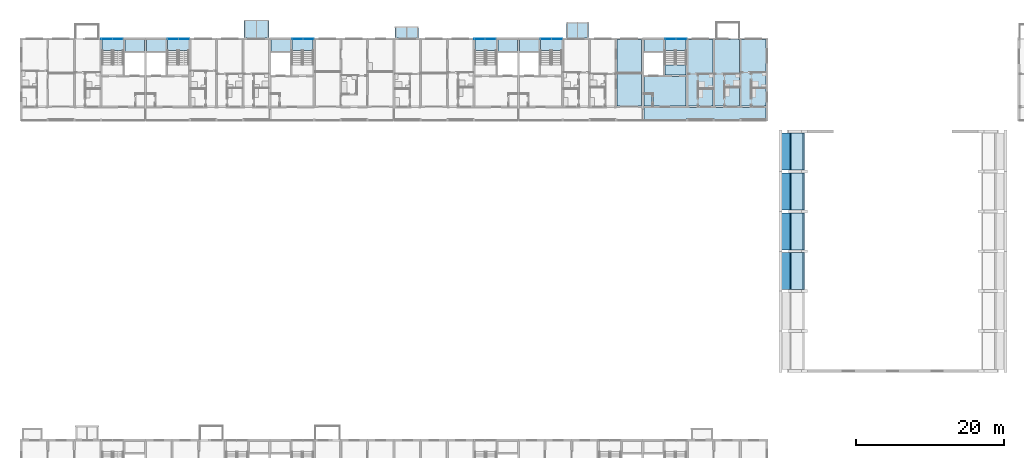
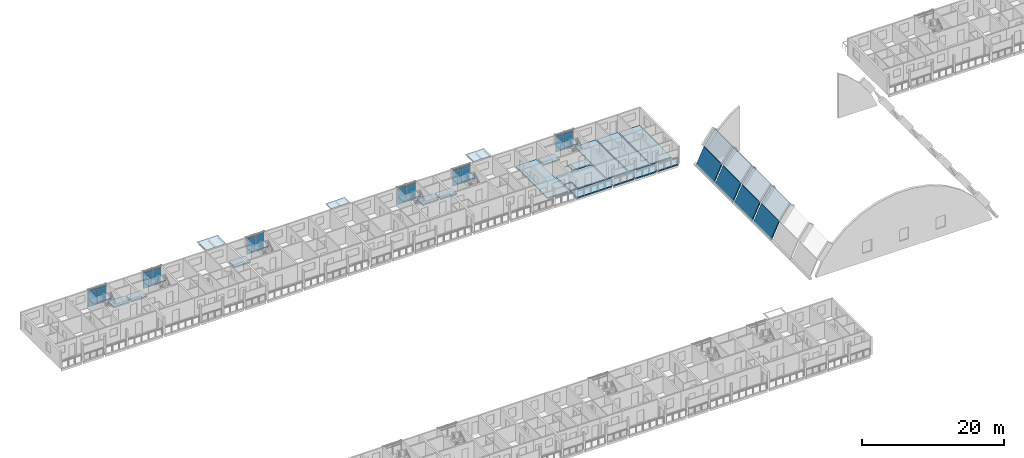
# One storey, part 26 of 100: 31 slabs, 24 plates, 12 elements without a shape of their own.
"""IFC4 building model written with IfcOpenShell, lengths in metres."""

from ifc_helpers import new_model, si_unit, direction, frame, origin, origin_2d, place, context, subcontext, project, spatial, polyline, rectangle, outline, extrude, material, layer, layer_set, type_object, element, aggregate, save


model = new_model("IFC4")

# Units and contexts
model_context = context("Model", 3, precision=1e-05, world=origin(), true_north=direction((0.0, 1.0)))
body_context = subcontext(model_context, "Body", "Model", "MODEL_VIEW")
ifc_project = project(units=[si_unit("LENGTHUNIT", "METRE"), si_unit("AREAUNIT", "SQUARE_METRE"), si_unit("VOLUMEUNIT", "CUBIC_METRE"), si_unit("PLANEANGLEUNIT", "RADIAN"), si_unit("MASSUNIT", "GRAM", prefix="KILO")], contexts=[model_context])

# Site, building, storey
site_placement = place(None, origin())
site = spatial("IfcSite", under=ifc_project, at=site_placement, CompositionType="ELEMENT")
building_placement = place(site_placement, origin())
building = spatial("IfcBuilding", under=site, at=building_placement, Name="Ridgestep Commons", CompositionType="ELEMENT")
storey_placement = place(building_placement, frame((0.0, 0.0, 9.0)))
storey = spatial("IfcBuildingStorey", under=building, at=storey_placement, Name="L03", CompositionType="ELEMENT", Elevation=9.0)

# Slab
ifc_material_1 = material(Name="Precast concrete C40/50", Category="concrete")
ifc_layer_1 = layer(ifc_material_1, 0.199951171875)
ifc_layer_set_1 = layer_set([ifc_layer_1], Name="Gallery slab 200")
slab_type_1 = type_object("IfcSlabType", Name="Gallery slab 200", PredefinedType="FLOOR", material=ifc_layer_set_1)
slab_1_placement = place(storey_placement, frame((0.0, 0.0, -0.199951171875)))
element("IfcSlab", 1, at=slab_1_placement, inside=storey, type_object=slab_type_1, Name="Gallery slab B6 L03", PredefinedType="FLOOR", context=body_context, shape_type="SweptSolid", body=[
    extrude(outline(polyline([(112.64990234375, 67.800048828125), (96.14990234375, 67.800048828125), (96.14990234375, 66.0), (101.875, 66.0), (101.875, 66.25), (102.125, 66.25), (102.125, 66.0), (105.47509765625, 66.0), (105.47509765625, 66.25), (105.72509765625, 66.25), (105.72509765625, 66.0), (109.074951171875, 66.0), (109.074951171875, 66.25), (109.324951171875, 66.25), (109.324951171875, 66.0), (112.64990234375, 66.0), (112.64990234375, 67.800048828125)])), origin(), (0.0, 0.0, 1.0), 0.199951171875),
])

# Curtain wall, plates
ifc_material_2 = material(Name="Aluminium 6063-T6 and glass", Category="aluminium")
curtain_wall_type = type_object("IfcCurtainWallType", Name="Curtain wall stair strip", PredefinedType="NOTDEFINED", material=ifc_material_2)
curtain_wall_1_placement = place(storey_placement, origin())
curtain_wall_1 = element("IfcCurtainWall", 2, at=curtain_wall_1_placement, inside=storey, type_object=curtain_wall_type, Name="Curtain wall B1C level 03", PredefinedType="NOTDEFINED")
ifc_material_3 = material(Name="Glass laminated 6/16/6 low-emissivity", Category="glass")
ifc_layer_2 = layer(ifc_material_3, 0.028076171875)
ifc_layer_set_2 = layer_set([ifc_layer_2], Name="Glazing panel 28")
plate_type_1 = type_object("IfcPlateType", Name="Glazing panel 28", PredefinedType="CURTAIN_PANEL", material=ifc_layer_set_2)
plate_1_placement = place(storey_placement, frame((23.5712890625, 77.080078125, 0.06005859375), z_axis=(0.0, 0.0, 1.0), x_axis=(1.0, 0.0, 0.0)))
plate_1 = element("IfcPlate", 3, at=plate_1_placement, type_object=plate_type_1, Name="CW1 panel 1.1", PredefinedType="CURTAIN_PANEL", context=body_context, shape_type="SweptSolid", body=[
    extrude(rectangle(XDim=1.422607421875, YDim=0.028076171875, at=origin_2d()), origin(), (0.0, 0.0, 1.0), 2.5),
])
plate_2_placement = place(storey_placement, frame((25.0537109375, 77.080078125, 0.06005859375), z_axis=(0.0, 0.0, 1.0), x_axis=(1.0, 0.0, 0.0)))
plate_2 = element("IfcPlate", 4, at=plate_2_placement, type_object=plate_type_1, Name="CW1 panel 2.1", PredefinedType="CURTAIN_PANEL", context=body_context, shape_type="SweptSolid", body=[
    extrude(rectangle(XDim=1.422607421875, YDim=0.028076171875, at=origin_2d()), origin(), (0.0, 0.0, 1.0), 2.5),
])

curtain_wall_2_placement = place(storey_placement, origin())
curtain_wall_2 = element("IfcCurtainWall", 5, at=curtain_wall_2_placement, inside=storey, type_object=curtain_wall_type, Name="Curtain wall B2C level 03", PredefinedType="NOTDEFINED")
plate_3_placement = place(storey_placement, frame((32.546142578125, 77.080078125, 0.06005859375), z_axis=(0.0, 0.0, 1.0), x_axis=(1.0, 0.0, 0.0)))
plate_3 = element("IfcPlate", 6, at=plate_3_placement, type_object=plate_type_1, Name="CW1 panel 1.1", PredefinedType="CURTAIN_PANEL", context=body_context, shape_type="SweptSolid", body=[
    extrude(rectangle(XDim=1.422607421875, YDim=0.028076171875, at=origin_2d()), origin(), (0.0, 0.0, 1.0), 2.5),
])
plate_4_placement = place(storey_placement, frame((34.02880859375, 77.080078125, 0.06005859375), z_axis=(0.0, 0.0, 1.0), x_axis=(1.0, 0.0, 0.0)))
plate_4 = element("IfcPlate", 7, at=plate_4_placement, type_object=plate_type_1, Name="CW1 panel 2.1", PredefinedType="CURTAIN_PANEL", context=body_context, shape_type="SweptSolid", body=[
    extrude(rectangle(XDim=1.422607421875, YDim=0.028076171875, at=origin_2d()), origin(), (0.0, 0.0, 1.0), 2.5),
])

curtain_wall_3_placement = place(storey_placement, origin())
curtain_wall_3 = element("IfcCurtainWall", 8, at=curtain_wall_3_placement, inside=storey, type_object=curtain_wall_type, Name="Curtain wall B3C level 03", PredefinedType="NOTDEFINED")
plate_5_placement = place(storey_placement, frame((49.34619140625, 77.080078125, 0.06005859375), z_axis=(0.0, 0.0, 1.0), x_axis=(1.0, 0.0, 0.0)))
plate_5 = element("IfcPlate", 9, at=plate_5_placement, type_object=plate_type_1, Name="CW1 panel 1.1", PredefinedType="CURTAIN_PANEL", context=body_context, shape_type="SweptSolid", body=[
    extrude(rectangle(XDim=1.422607421875, YDim=0.028076171875, at=origin_2d()), origin(), (0.0, 0.0, 1.0), 2.5),
])
plate_6_placement = place(storey_placement, frame((50.828857421875, 77.080078125, 0.06005859375), z_axis=(0.0, 0.0, 1.0), x_axis=(1.0, 0.0, 0.0)))
plate_6 = element("IfcPlate", 10, at=plate_6_placement, type_object=plate_type_1, Name="CW1 panel 2.1", PredefinedType="CURTAIN_PANEL", context=body_context, shape_type="SweptSolid", body=[
    extrude(rectangle(XDim=1.422607421875, YDim=0.028076171875, at=origin_2d()), origin(), (0.0, 0.0, 1.0), 2.5),
])

curtain_wall_4_placement = place(storey_placement, origin())
curtain_wall_4 = element("IfcCurtainWall", 11, at=curtain_wall_4_placement, inside=storey, type_object=curtain_wall_type, Name="Curtain wall B4C level 03", PredefinedType="NOTDEFINED")
plate_7_placement = place(storey_placement, frame((73.97119140625, 77.080078125, 0.06005859375), z_axis=(0.0, 0.0, 1.0), x_axis=(1.0, 0.0, 0.0)))
plate_7 = element("IfcPlate", 12, at=plate_7_placement, type_object=plate_type_1, Name="CW1 panel 1.1", PredefinedType="CURTAIN_PANEL", context=body_context, shape_type="SweptSolid", body=[
    extrude(rectangle(XDim=1.422607421875, YDim=0.028076171875, at=origin_2d()), origin(), (0.0, 0.0, 1.0), 2.5),
])
plate_8_placement = place(storey_placement, frame((75.453857421875, 77.080078125, 0.06005859375), z_axis=(0.0, 0.0, 1.0), x_axis=(1.0, 0.0, 0.0)))
plate_8 = element("IfcPlate", 13, at=plate_8_placement, type_object=plate_type_1, Name="CW1 panel 2.1", PredefinedType="CURTAIN_PANEL", context=body_context, shape_type="SweptSolid", body=[
    extrude(rectangle(XDim=1.422607421875, YDim=0.028076171875, at=origin_2d()), origin(), (0.0, 0.0, 1.0), 2.5),
])

curtain_wall_5_placement = place(storey_placement, origin())
curtain_wall_5 = element("IfcCurtainWall", 14, at=curtain_wall_5_placement, inside=storey, type_object=curtain_wall_type, Name="Curtain wall B5C level 03", PredefinedType="NOTDEFINED")
plate_9_placement = place(storey_placement, frame((82.9462890625, 77.080078125, 0.06005859375), z_axis=(0.0, 0.0, 1.0), x_axis=(1.0, 0.0, 0.0)))
plate_9 = element("IfcPlate", 15, at=plate_9_placement, type_object=plate_type_1, Name="CW1 panel 1.1", PredefinedType="CURTAIN_PANEL", context=body_context, shape_type="SweptSolid", body=[
    extrude(rectangle(XDim=1.422607421875, YDim=0.028076171875, at=origin_2d()), origin(), (0.0, 0.0, 1.0), 2.5),
])
plate_10_placement = place(storey_placement, frame((84.4287109375, 77.080078125, 0.06005859375), z_axis=(0.0, 0.0, 1.0), x_axis=(1.0, 0.0, 0.0)))
plate_10 = element("IfcPlate", 16, at=plate_10_placement, type_object=plate_type_1, Name="CW1 panel 2.1", PredefinedType="CURTAIN_PANEL", context=body_context, shape_type="SweptSolid", body=[
    extrude(rectangle(XDim=1.422607421875, YDim=0.028076171875, at=origin_2d()), origin(), (0.0, 0.0, 1.0), 2.5),
])

curtain_wall_6_placement = place(storey_placement, origin())
curtain_wall_6 = element("IfcCurtainWall", 17, at=curtain_wall_6_placement, inside=storey, type_object=curtain_wall_type, Name="Curtain wall B6C level 03", PredefinedType="NOTDEFINED")
plate_11_placement = place(storey_placement, frame((99.746337890625, 77.080078125, 0.06005859375), z_axis=(0.0, 0.0, 1.0), x_axis=(1.0, 0.0, 0.0)))
plate_11 = element("IfcPlate", 18, at=plate_11_placement, type_object=plate_type_1, Name="CW1 panel 1.1", PredefinedType="CURTAIN_PANEL", context=body_context, shape_type="SweptSolid", body=[
    extrude(rectangle(XDim=1.422607421875, YDim=0.028076171875, at=origin_2d()), origin(), (0.0, 0.0, 1.0), 2.5),
])
plate_12_placement = place(storey_placement, frame((101.228759765625, 77.080078125, 0.06005859375), z_axis=(0.0, 0.0, 1.0), x_axis=(1.0, 0.0, 0.0)))
plate_12 = element("IfcPlate", 19, at=plate_12_placement, type_object=plate_type_1, Name="CW1 panel 2.1", PredefinedType="CURTAIN_PANEL", context=body_context, shape_type="SweptSolid", body=[
    extrude(rectangle(XDim=1.422607421875, YDim=0.028076171875, at=origin_2d()), origin(), (0.0, 0.0, 1.0), 2.5),
])

# Slabs
ifc_material_4 = material(Name="Precast concrete C50/60", Category="concrete")
ifc_layer_3 = layer(ifc_material_4, 0.199951171875)
ifc_layer_set_3 = layer_set([ifc_layer_3], Name="Hall roof plank 200")
slab_type_2 = type_object("IfcSlabType", Name="Hall roof plank 200", PredefinedType="ROOF", material=ifc_layer_set_3)
slab_2_placement = place(storey_placement, frame((114.57421875, 43.199951171875, 0.107421875), z_axis=(-0.903137091467, 0.0, 0.429352295925), x_axis=(0.429352295925, 0.0, 0.903137091467)))
element("IfcSlab", 20, at=slab_2_placement, inside=storey, type_object=slab_type_2, Name="Hall barrel vault panel 25", PredefinedType="ROOF", context=body_context, shape_type="SweptSolid", body=[
    extrude(outline(polyline([(0.0, 0.0), (3.01655779628057, 0.0), (3.01655779628057, 5.0), (0.0, 5.0), (0.0, 0.0)])), origin(), (0.0, 0.0, -1.0), 0.199951171875),
])
slab_3_placement = place(storey_placement, frame((115.888916015625, 43.199951171875, 2.864013671875), z_axis=(-0.806402426746, 0.0, 0.591367166943), x_axis=(0.591367166943, 0.0, 0.806402426746)))
element("IfcSlab", 21, at=slab_3_placement, inside=storey, type_object=slab_type_2, Name="Hall barrel vault panel 26", PredefinedType="ROOF", context=body_context, shape_type="SweptSolid", body=[
    extrude(outline(polyline([(0.0, 0.0), (3.0211705918425382, 0.0), (3.0211705918425382, 5.0), (0.0, 5.0), (0.0, 0.0)])), origin(), (0.0, 0.0, -1.0), 0.199951171875),
])
slab_4_placement = place(storey_placement, frame((114.57421875, 48.60009765625, 0.107421875), z_axis=(-0.903137091467, 0.0, 0.429352295925), x_axis=(0.429352295925, 0.0, 0.903137091467)))
element("IfcSlab", 22, at=slab_4_placement, inside=storey, type_object=slab_type_2, Name="Hall barrel vault panel 37", PredefinedType="ROOF", context=body_context, shape_type="SweptSolid", body=[
    extrude(outline(polyline([(0.0, 0.0), (3.01655779628057, 0.0), (3.01655779628057, 5.0), (0.0, 5.0), (0.0, 0.0)])), origin(), (0.0, 0.0, -1.0), 0.199951171875),
])
slab_5_placement = place(storey_placement, frame((115.888916015625, 48.60009765625, 2.864013671875), z_axis=(-0.806402426746, 0.0, 0.591367166943), x_axis=(0.591367166943, 0.0, 0.806402426746)))
element("IfcSlab", 23, at=slab_5_placement, inside=storey, type_object=slab_type_2, Name="Hall barrel vault panel 38", PredefinedType="ROOF", context=body_context, shape_type="SweptSolid", body=[
    extrude(outline(polyline([(0.0, 0.0), (3.0211705918425382, 0.0), (3.0211705918425382, 5.0), (0.0, 5.0), (0.0, 0.0)])), origin(), (0.0, 0.0, -1.0), 0.199951171875),
])
slab_6_placement = place(storey_placement, frame((114.57421875, 54.0, 0.107421875), z_axis=(-0.903137091467, 0.0, 0.429352295925), x_axis=(0.429352295925, 0.0, 0.903137091467)))
element("IfcSlab", 24, at=slab_6_placement, inside=storey, type_object=slab_type_2, Name="Hall barrel vault panel 49", PredefinedType="ROOF", context=body_context, shape_type="SweptSolid", body=[
    extrude(outline(polyline([(0.0, 0.0), (3.01655779628057, 0.0), (3.01655779628057, 5.0), (0.0, 5.0), (0.0, 0.0)])), origin(), (0.0, 0.0, -1.0), 0.199951171875),
])
slab_7_placement = place(storey_placement, frame((115.888916015625, 54.0, 2.864013671875), z_axis=(-0.806402426746, 0.0, 0.591367166943), x_axis=(0.591367166943, 0.0, 0.806402426746)))
element("IfcSlab", 25, at=slab_7_placement, inside=storey, type_object=slab_type_2, Name="Hall barrel vault panel 50", PredefinedType="ROOF", context=body_context, shape_type="SweptSolid", body=[
    extrude(outline(polyline([(0.0, 0.0), (3.0211705918425382, 0.0), (3.0211705918425382, 5.0), (0.0, 5.0), (0.0, 0.0)])), origin(), (0.0, 0.0, -1.0), 0.199951171875),
])
slab_8_placement = place(storey_placement, frame((114.57421875, 59.39990234375, 0.107421875), z_axis=(-0.903137091467, 0.0, 0.429352295925), x_axis=(0.429352295925, 0.0, 0.903137091467)))
element("IfcSlab", 26, at=slab_8_placement, inside=storey, type_object=slab_type_2, Name="Hall barrel vault panel 61", PredefinedType="ROOF", context=body_context, shape_type="SweptSolid", body=[
    extrude(outline(polyline([(0.0, 0.0), (3.01655779628057, 0.0), (3.01655779628057, 5.0), (0.0, 5.0), (0.0, 0.0)])), origin(), (0.0, 0.0, -1.0), 0.199951171875),
])
slab_9_placement = place(storey_placement, frame((115.888916015625, 59.39990234375, 2.864013671875), z_axis=(-0.806402426746, 0.0, 0.591367166943), x_axis=(0.591367166943, 0.0, 0.806402426746)))
element("IfcSlab", 27, at=slab_9_placement, inside=storey, type_object=slab_type_2, Name="Hall barrel vault panel 62", PredefinedType="ROOF", context=body_context, shape_type="SweptSolid", body=[
    extrude(outline(polyline([(0.0, 0.0), (3.0211705918425382, 0.0), (3.0211705918425382, 5.0), (0.0, 5.0), (0.0, 0.0)])), origin(), (0.0, 0.0, -1.0), 0.199951171875),
])
ifc_material_5 = material(Name="Precast concrete C50/60", Category="concrete")
ifc_layer_4 = layer(ifc_material_5, 0.199951171875)
ifc_layer_set_4 = layer_set([ifc_layer_4], Name="Hollow-core plank 200")
slab_type_3 = type_object("IfcSlabType", Name="Hollow-core plank 200", PredefinedType="FLOOR", material=ifc_layer_set_4)
slab_10_placement = place(storey_placement, frame((0.0, 0.0, -0.199951171875)))
element("IfcSlab", 28, at=slab_10_placement, inside=storey, type_object=slab_type_3, Name="Floor plank B5T1 L03", PredefinedType="FLOOR", context=body_context, shape_type="SweptSolid", body=[
    extrude(outline(polyline([(95.85009765625, 68.0), (95.85009765625, 77.0), (92.5, 77.0), (92.5, 68.0), (95.85009765625, 68.0)])), origin(), (0.0, 0.0, 1.0), 0.199951171875),
])
slab_11_placement = place(storey_placement, frame((0.0, 0.0, -0.199951171875)))
element("IfcSlab", 29, at=slab_11_placement, inside=storey, type_object=slab_type_3, Name="Floor plank B6T3 L03", PredefinedType="FLOOR", context=body_context, shape_type="SweptSolid", body=[
    extrude(outline(polyline([(105.5, 68.0), (105.5, 77.0), (102.125, 77.0), (102.125, 68.0), (105.5, 68.0)])), origin(), (0.0, 0.0, 1.0), 0.199951171875),
])
slab_12_placement = place(storey_placement, frame((0.0, 0.0, -0.199951171875)))
element("IfcSlab", 30, at=slab_12_placement, inside=storey, type_object=slab_type_3, Name="Floor plank B6T2 L03", PredefinedType="FLOOR", context=body_context, shape_type="SweptSolid", body=[
    extrude(outline(polyline([(109.10009765625, 68.0), (109.10009765625, 77.0), (105.699951171875, 77.0), (105.699951171875, 68.0), (109.10009765625, 68.0)])), origin(), (0.0, 0.0, 1.0), 0.199951171875),
])
slab_13_placement = place(storey_placement, frame((0.0, 0.0, -0.199951171875)))
element("IfcSlab", 31, at=slab_13_placement, inside=storey, type_object=slab_type_3, Name="Floor plank B6T1 L03", PredefinedType="FLOOR", context=body_context, shape_type="SweptSolid", body=[
    extrude(outline(polyline([(112.64990234375, 68.0), (112.64990234375, 77.0), (109.300048828125, 77.0), (109.300048828125, 68.0), (112.64990234375, 68.0)])), origin(), (0.0, 0.0, 1.0), 0.199951171875),
])
ifc_material_6 = material(Name="Precast concrete C50/60", Category="concrete")
ifc_layer_5 = layer(ifc_material_6, 0.25)
ifc_layer_set_5 = layer_set([ifc_layer_5], Name="Hollow-core plank 250")
slab_type_4 = type_object("IfcSlabType", Name="Hollow-core plank 250", PredefinedType="FLOOR", material=ifc_layer_set_5)
slab_14_placement = place(storey_placement, frame((0.0, 0.0, -0.25)))
element("IfcSlab", 32, at=slab_14_placement, inside=storey, type_object=slab_type_4, Name="Floor plank B1C L03", PredefinedType="FLOOR", context=body_context, shape_type="SweptSolid", body=[
    extrude(outline(polyline([(28.64990234375, 75.39990234375), (28.64990234375, 77.0), (26.02490234375, 77.0), (26.02490234375, 75.39990234375), (28.64990234375, 75.39990234375)])), origin(), (0.0, 0.0, 1.0), 0.25),
])
slab_15_placement = place(storey_placement, frame((0.0, 0.0, -0.25)))
element("IfcSlab", 33, at=slab_15_placement, inside=storey, type_object=slab_type_4, Name="Floor plank B2C L03", PredefinedType="FLOOR", context=body_context, shape_type="SweptSolid", body=[
    extrude(outline(polyline([(31.574951171875, 77.0), (28.949951171875, 77.0), (28.949951171875, 75.39990234375), (31.574951171875, 75.39990234375), (31.574951171875, 77.0)])), origin(), (0.0, 0.0, 1.0), 0.25),
])
slab_16_placement = place(storey_placement, frame((0.0, 0.0, -0.25)))
element("IfcSlab", 34, at=slab_16_placement, inside=storey, type_object=slab_type_4, Name="Floor plank B3C L03", PredefinedType="FLOOR", context=body_context, shape_type="SweptSolid", body=[
    extrude(outline(polyline([(48.375, 77.0), (45.75, 77.0), (45.75, 75.39990234375), (48.375, 75.39990234375), (48.375, 77.0)])), origin(), (0.0, 0.0, 1.0), 0.25),
])
slab_17_placement = place(storey_placement, frame((0.0, 0.0, -0.25)))
element("IfcSlab", 35, at=slab_17_placement, inside=storey, type_object=slab_type_4, Name="Floor plank B4C L03", PredefinedType="FLOOR", context=body_context, shape_type="SweptSolid", body=[
    extrude(outline(polyline([(79.050048828125, 75.39990234375), (79.050048828125, 77.0), (76.425048828125, 77.0), (76.425048828125, 75.39990234375), (79.050048828125, 75.39990234375)])), origin(), (0.0, 0.0, 1.0), 0.25),
])
slab_18_placement = place(storey_placement, frame((0.0, 0.0, -0.25)))
element("IfcSlab", 36, at=slab_18_placement, inside=storey, type_object=slab_type_4, Name="Floor plank B5C L03", PredefinedType="FLOOR", context=body_context, shape_type="SweptSolid", body=[
    extrude(outline(polyline([(81.97509765625, 77.0), (79.35009765625, 77.0), (79.35009765625, 75.39990234375), (81.97509765625, 75.39990234375), (81.97509765625, 77.0)])), origin(), (0.0, 0.0, 1.0), 0.25),
])
slab_19_placement = place(storey_placement, frame((0.0, 0.0, -0.25)))
element("IfcSlab", 37, at=slab_19_placement, inside=storey, type_object=slab_type_4, Name="Floor plank B6C L03", PredefinedType="FLOOR", context=body_context, shape_type="SweptSolid", body=[
    extrude(outline(polyline([(97.39990234375, 68.0), (101.875, 68.0), (101.875, 72.0), (96.14990234375, 72.0), (96.14990234375, 69.719970703125), (97.280029296875, 69.719970703125), (97.39990234375, 69.719970703125), (97.39990234375, 68.0)])), origin(), (0.0, 0.0, 1.0), 0.25),
])
slab_20_placement = place(storey_placement, frame((0.0, 0.0, -0.25)))
element("IfcSlab", 38, at=slab_20_placement, inside=storey, type_object=slab_type_4, Name="Floor plank B6C L03", PredefinedType="FLOOR", context=body_context, shape_type="SweptSolid", body=[
    extrude(outline(polyline([(98.77490234375, 77.0), (96.14990234375, 77.0), (96.14990234375, 75.39990234375), (98.77490234375, 75.39990234375), (98.77490234375, 77.0)])), origin(), (0.0, 0.0, 1.0), 0.25),
])
slab_21_placement = place(storey_placement, frame((0.0, 0.0, -0.25)))
element("IfcSlab", 39, at=slab_21_placement, inside=storey, type_object=slab_type_4, Name="Floor plank B6C L03", PredefinedType="FLOOR", context=body_context, shape_type="SweptSolid", body=[
    extrude(outline(polyline([(101.875, 72.199951171875), (101.875, 73.60009765625), (98.97509765625, 73.60009765625), (98.97509765625, 72.199951171875), (101.875, 72.199951171875)])), origin(), (0.0, 0.0, 1.0), 0.25),
])
slab_22_placement = place(storey_placement, frame((0.0, 0.0, -0.25)))
element("IfcSlab", 40, at=slab_22_placement, inside=storey, type_object=slab_type_4, Name="Floor plank B6C L03", PredefinedType="FLOOR", context=body_context, shape_type="SweptSolid", body=[
    extrude(outline(polyline([(97.280029296875, 69.60009765625), (96.14990234375, 69.60009765625), (96.14990234375, 68.0), (97.280029296875, 68.0), (97.280029296875, 69.60009765625)])), origin(), (0.0, 0.0, 1.0), 0.25),
])

# Plate
ifc_material_7 = material(Name="Aluminium 6063-T6 and mineral wool", Category="aluminium")
ifc_layer_6 = layer(ifc_material_7, 0.0400390625)
ifc_layer_set_6 = layer_set([ifc_layer_6], Name="Spandrel panel 40")
plate_type_2 = type_object("IfcPlateType", Name="Spandrel panel 40", PredefinedType="CURTAIN_PANEL", material=ifc_layer_set_6)
plate_13_placement = place(storey_placement, frame((23.5712890625, 77.080078125, 2.6201171875), z_axis=(0.0, 0.0, 1.0), x_axis=(1.0, 0.0, 0.0)))
plate_13 = element("IfcPlate", 41, at=plate_13_placement, type_object=plate_type_2, Name="CW1 panel 1.2", PredefinedType="CURTAIN_PANEL", context=body_context, shape_type="SweptSolid", body=[
    extrude(rectangle(XDim=1.422607421875, YDim=0.0400390625, at=origin_2d()), origin(), (0.0, 0.0, 1.0), 0.320068359375),
])

plate_14_placement = place(storey_placement, frame((25.0537109375, 77.080078125, 2.6201171875), z_axis=(0.0, 0.0, 1.0), x_axis=(1.0, 0.0, 0.0)))
plate_14 = element("IfcPlate", 42, at=plate_14_placement, type_object=plate_type_2, Name="CW1 panel 2.2", PredefinedType="CURTAIN_PANEL", context=body_context, shape_type="SweptSolid", body=[
    extrude(rectangle(XDim=1.422607421875, YDim=0.0400390625, at=origin_2d()), origin(), (0.0, 0.0, 1.0), 0.320068359375),
])

aggregate(curtain_wall_1, [plate_1, plate_13, plate_2, plate_14])

plate_15_placement = place(storey_placement, frame((32.546142578125, 77.080078125, 2.6201171875), z_axis=(0.0, 0.0, 1.0), x_axis=(1.0, 0.0, 0.0)))
plate_15 = element("IfcPlate", 43, at=plate_15_placement, type_object=plate_type_2, Name="CW1 panel 1.2", PredefinedType="CURTAIN_PANEL", context=body_context, shape_type="SweptSolid", body=[
    extrude(rectangle(XDim=1.422607421875, YDim=0.0400390625, at=origin_2d()), origin(), (0.0, 0.0, 1.0), 0.320068359375),
])

plate_16_placement = place(storey_placement, frame((34.02880859375, 77.080078125, 2.6201171875), z_axis=(0.0, 0.0, 1.0), x_axis=(1.0, 0.0, 0.0)))
plate_16 = element("IfcPlate", 44, at=plate_16_placement, type_object=plate_type_2, Name="CW1 panel 2.2", PredefinedType="CURTAIN_PANEL", context=body_context, shape_type="SweptSolid", body=[
    extrude(rectangle(XDim=1.422607421875, YDim=0.0400390625, at=origin_2d()), origin(), (0.0, 0.0, 1.0), 0.320068359375),
])

aggregate(curtain_wall_2, [plate_3, plate_15, plate_4, plate_16])

plate_17_placement = place(storey_placement, frame((49.34619140625, 77.080078125, 2.6201171875), z_axis=(0.0, 0.0, 1.0), x_axis=(1.0, 0.0, 0.0)))
plate_17 = element("IfcPlate", 45, at=plate_17_placement, type_object=plate_type_2, Name="CW1 panel 1.2", PredefinedType="CURTAIN_PANEL", context=body_context, shape_type="SweptSolid", body=[
    extrude(rectangle(XDim=1.422607421875, YDim=0.0400390625, at=origin_2d()), origin(), (0.0, 0.0, 1.0), 0.320068359375),
])

plate_18_placement = place(storey_placement, frame((50.828857421875, 77.080078125, 2.6201171875), z_axis=(0.0, 0.0, 1.0), x_axis=(1.0, 0.0, 0.0)))
plate_18 = element("IfcPlate", 46, at=plate_18_placement, type_object=plate_type_2, Name="CW1 panel 2.2", PredefinedType="CURTAIN_PANEL", context=body_context, shape_type="SweptSolid", body=[
    extrude(rectangle(XDim=1.422607421875, YDim=0.0400390625, at=origin_2d()), origin(), (0.0, 0.0, 1.0), 0.320068359375),
])

aggregate(curtain_wall_3, [plate_5, plate_17, plate_6, plate_18])

plate_19_placement = place(storey_placement, frame((73.97119140625, 77.080078125, 2.6201171875), z_axis=(0.0, 0.0, 1.0), x_axis=(1.0, 0.0, 0.0)))
plate_19 = element("IfcPlate", 47, at=plate_19_placement, type_object=plate_type_2, Name="CW1 panel 1.2", PredefinedType="CURTAIN_PANEL", context=body_context, shape_type="SweptSolid", body=[
    extrude(rectangle(XDim=1.422607421875, YDim=0.0400390625, at=origin_2d()), origin(), (0.0, 0.0, 1.0), 0.320068359375),
])

plate_20_placement = place(storey_placement, frame((75.453857421875, 77.080078125, 2.6201171875), z_axis=(0.0, 0.0, 1.0), x_axis=(1.0, 0.0, 0.0)))
plate_20 = element("IfcPlate", 48, at=plate_20_placement, type_object=plate_type_2, Name="CW1 panel 2.2", PredefinedType="CURTAIN_PANEL", context=body_context, shape_type="SweptSolid", body=[
    extrude(rectangle(XDim=1.422607421875, YDim=0.0400390625, at=origin_2d()), origin(), (0.0, 0.0, 1.0), 0.320068359375),
])

aggregate(curtain_wall_4, [plate_7, plate_19, plate_8, plate_20])

plate_21_placement = place(storey_placement, frame((82.9462890625, 77.080078125, 2.6201171875), z_axis=(0.0, 0.0, 1.0), x_axis=(1.0, 0.0, 0.0)))
plate_21 = element("IfcPlate", 49, at=plate_21_placement, type_object=plate_type_2, Name="CW1 panel 1.2", PredefinedType="CURTAIN_PANEL", context=body_context, shape_type="SweptSolid", body=[
    extrude(rectangle(XDim=1.422607421875, YDim=0.0400390625, at=origin_2d()), origin(), (0.0, 0.0, 1.0), 0.320068359375),
])

plate_22_placement = place(storey_placement, frame((84.4287109375, 77.080078125, 2.6201171875), z_axis=(0.0, 0.0, 1.0), x_axis=(1.0, 0.0, 0.0)))
plate_22 = element("IfcPlate", 50, at=plate_22_placement, type_object=plate_type_2, Name="CW1 panel 2.2", PredefinedType="CURTAIN_PANEL", context=body_context, shape_type="SweptSolid", body=[
    extrude(rectangle(XDim=1.422607421875, YDim=0.0400390625, at=origin_2d()), origin(), (0.0, 0.0, 1.0), 0.320068359375),
])

aggregate(curtain_wall_5, [plate_9, plate_21, plate_10, plate_22])

plate_23_placement = place(storey_placement, frame((99.746337890625, 77.080078125, 2.6201171875), z_axis=(0.0, 0.0, 1.0), x_axis=(1.0, 0.0, 0.0)))
plate_23 = element("IfcPlate", 51, at=plate_23_placement, type_object=plate_type_2, Name="CW1 panel 1.2", PredefinedType="CURTAIN_PANEL", context=body_context, shape_type="SweptSolid", body=[
    extrude(rectangle(XDim=1.422607421875, YDim=0.0400390625, at=origin_2d()), origin(), (0.0, 0.0, 1.0), 0.320068359375),
])

plate_24_placement = place(storey_placement, frame((101.228759765625, 77.080078125, 2.6201171875), z_axis=(0.0, 0.0, 1.0), x_axis=(1.0, 0.0, 0.0)))
plate_24 = element("IfcPlate", 52, at=plate_24_placement, type_object=plate_type_2, Name="CW1 panel 2.2", PredefinedType="CURTAIN_PANEL", context=body_context, shape_type="SweptSolid", body=[
    extrude(rectangle(XDim=1.422607421875, YDim=0.0400390625, at=origin_2d()), origin(), (0.0, 0.0, 1.0), 0.320068359375),
])

aggregate(curtain_wall_6, [plate_11, plate_23, plate_12, plate_24])

# Stair, slab
ifc_material_8 = material(Name="Precast concrete C40/50", Category="concrete")
stair_type = type_object("IfcStairType", Name="Escape stair 1400", PredefinedType="HALF_TURN_STAIR", material=ifc_material_8)
stair_1_placement = place(storey_placement, origin())
stair_1 = element("IfcStair", 53, at=stair_1_placement, inside=storey, type_object=stair_type, Name="L03 Escape stair B1C", PredefinedType="HALF_TURN_STAIR")
ifc_material_9 = material(Name="Precast concrete C40/50", Category="concrete")
ifc_layer_7 = layer(ifc_material_9, 0.199951171875)
ifc_layer_set_7 = layer_set([ifc_layer_7], Name="Stair landing 200")
slab_type_5 = type_object("IfcSlabType", Name="Stair landing 200", PredefinedType="LANDING", material=ifc_layer_set_7)
slab_23_placement = place(storey_placement, frame((0.0, 0.0, 1.300048828125)))
slab_23 = element("IfcSlab", 54, at=slab_23_placement, type_object=slab_type_5, Name="B1C landing 1", PredefinedType="LANDING", context=body_context, shape_type="SweptSolid", body=[
    extrude(outline(polyline([(25.824951171875, 75.56005859375), (25.824951171875, 77.0), (22.925048828125, 77.0), (22.925048828125, 75.56005859375), (25.824951171875, 75.56005859375)])), origin(), (0.0, 0.0, 1.0), 0.199951171875),
])
aggregate(stair_1, [slab_23])

stair_2_placement = place(storey_placement, origin())
stair_2 = element("IfcStair", 55, at=stair_2_placement, inside=storey, type_object=stair_type, Name="L03 Escape stair B2C", PredefinedType="HALF_TURN_STAIR")
slab_24_placement = place(storey_placement, frame((0.0, 0.0, 1.300048828125)))
slab_24 = element("IfcSlab", 56, at=slab_24_placement, type_object=slab_type_5, Name="B2C landing 1", PredefinedType="LANDING", context=body_context, shape_type="SweptSolid", body=[
    extrude(outline(polyline([(34.675048828125, 75.56005859375), (34.675048828125, 77.0), (31.77490234375, 77.0), (31.77490234375, 75.56005859375), (34.675048828125, 75.56005859375)])), origin(), (0.0, 0.0, 1.0), 0.199951171875),
])
aggregate(stair_2, [slab_24])

stair_3_placement = place(storey_placement, origin())
stair_3 = element("IfcStair", 57, at=stair_3_placement, inside=storey, type_object=stair_type, Name="L03 Escape stair B3C", PredefinedType="HALF_TURN_STAIR")
slab_25_placement = place(storey_placement, frame((0.0, 0.0, 1.300048828125)))
slab_25 = element("IfcSlab", 58, at=slab_25_placement, type_object=slab_type_5, Name="B3C landing 1", PredefinedType="LANDING", context=body_context, shape_type="SweptSolid", body=[
    extrude(outline(polyline([(51.47509765625, 75.56005859375), (51.47509765625, 77.0), (48.574951171875, 77.0), (48.574951171875, 75.56005859375), (51.47509765625, 75.56005859375)])), origin(), (0.0, 0.0, 1.0), 0.199951171875),
])
aggregate(stair_3, [slab_25])

stair_4_placement = place(storey_placement, origin())
stair_4 = element("IfcStair", 59, at=stair_4_placement, inside=storey, type_object=stair_type, Name="L03 Escape stair B4C", PredefinedType="HALF_TURN_STAIR")
slab_26_placement = place(storey_placement, frame((0.0, 0.0, 1.300048828125)))
slab_26 = element("IfcSlab", 60, at=slab_26_placement, type_object=slab_type_5, Name="B4C landing 1", PredefinedType="LANDING", context=body_context, shape_type="SweptSolid", body=[
    extrude(outline(polyline([(76.22509765625, 75.56005859375), (76.22509765625, 77.0), (73.324951171875, 77.0), (73.324951171875, 75.56005859375), (76.22509765625, 75.56005859375)])), origin(), (0.0, 0.0, 1.0), 0.199951171875),
])
aggregate(stair_4, [slab_26])

stair_5_placement = place(storey_placement, origin())
stair_5 = element("IfcStair", 61, at=stair_5_placement, inside=storey, type_object=stair_type, Name="L03 Escape stair B5C", PredefinedType="HALF_TURN_STAIR")
slab_27_placement = place(storey_placement, frame((0.0, 0.0, 1.300048828125)))
slab_27 = element("IfcSlab", 62, at=slab_27_placement, type_object=slab_type_5, Name="B5C landing 1", PredefinedType="LANDING", context=body_context, shape_type="SweptSolid", body=[
    extrude(outline(polyline([(85.074951171875, 75.56005859375), (85.074951171875, 77.0), (82.175048828125, 77.0), (82.175048828125, 75.56005859375), (85.074951171875, 75.56005859375)])), origin(), (0.0, 0.0, 1.0), 0.199951171875),
])
aggregate(stair_5, [slab_27])

stair_6_placement = place(storey_placement, origin())
stair_6 = element("IfcStair", 63, at=stair_6_placement, inside=storey, type_object=stair_type, Name="L03 Escape stair B6C", PredefinedType="HALF_TURN_STAIR")
slab_28_placement = place(storey_placement, frame((0.0, 0.0, 1.300048828125)))
slab_28 = element("IfcSlab", 64, at=slab_28_placement, type_object=slab_type_5, Name="B6C landing 1", PredefinedType="LANDING", context=body_context, shape_type="SweptSolid", body=[
    extrude(outline(polyline([(101.875, 75.56005859375), (101.875, 77.0), (98.97509765625, 77.0), (98.97509765625, 75.56005859375), (101.875, 75.56005859375)])), origin(), (0.0, 0.0, 1.0), 0.199951171875),
])
aggregate(stair_6, [slab_28])

# Slabs
ifc_material_10 = material(Name="Weathering steel S355J2W", Category="steel")
ifc_layer_8 = layer(ifc_material_10, 0.010009765625)
ifc_layer_set_8 = layer_set([ifc_layer_8], Name="Tray 3.0 x 2.1")
slab_type_6 = type_object("IfcSlabType", Name="Tray 3.0 x 2.1", PredefinedType="FLOOR", material=ifc_layer_set_8)
slab_29_placement = place(storey_placement, frame((0.0, 0.0, 2.989990234375)))
element("IfcSlab", 65, at=slab_29_placement, inside=storey, type_object=slab_type_6, Name="Tray deck B5T3-04", PredefinedType="FLOOR", context=body_context, shape_type="SweptSolid", body=[
    extrude(outline(polyline([(85.72998046875, 77.25), (88.669921875, 77.25), (88.669921875, 79.35009765625), (85.72998046875, 79.35009765625), (85.72998046875, 77.25)])), origin(), (0.0, 0.0, 1.0), 0.010009765625),
])
ifc_material_11 = material(Name="Weathering steel S355J2W", Category="steel")
ifc_layer_9 = layer(ifc_material_11, 0.010009765625)
ifc_layer_set_9 = layer_set([ifc_layer_9], Name="Tray 3.2 x 1.5")
slab_type_7 = type_object("IfcSlabType", Name="Tray 3.2 x 1.5", PredefinedType="FLOOR", material=ifc_layer_set_9)
slab_30_placement = place(storey_placement, frame((0.0, 0.0, 2.989990234375)))
element("IfcSlab", 66, at=slab_30_placement, inside=storey, type_object=slab_type_7, Name="Tray deck B4T1-04", PredefinedType="FLOOR", context=body_context, shape_type="SweptSolid", body=[
    extrude(outline(polyline([(62.530029296875, 77.25), (65.669921875, 77.25), (65.669921875, 78.75), (62.530029296875, 78.75), (62.530029296875, 77.25)])), origin(), (0.0, 0.0, 1.0), 0.010009765625),
])
ifc_material_12 = material(Name="Weathering steel S355J2W", Category="steel")
ifc_layer_10 = layer(ifc_material_12, 0.010009765625)
ifc_layer_set_10 = layer_set([ifc_layer_10], Name="Tray 3.4 x 2.4")
slab_type_8 = type_object("IfcSlabType", Name="Tray 3.4 x 2.4", PredefinedType="FLOOR", material=ifc_layer_set_10)
slab_31_placement = place(storey_placement, frame((0.0, 0.0, 2.989990234375)))
element("IfcSlab", 67, at=slab_31_placement, inside=storey, type_object=slab_type_8, Name="Tray deck B2T1-04", PredefinedType="FLOOR", context=body_context, shape_type="SweptSolid", body=[
    extrude(outline(polyline([(42.1298828125, 77.25), (45.469970703125, 77.25), (45.469970703125, 79.64990234375), (42.1298828125, 79.64990234375), (42.1298828125, 77.25)])), origin(), (0.0, 0.0, 1.0), 0.010009765625),
])

save(model, "model.ifc")
